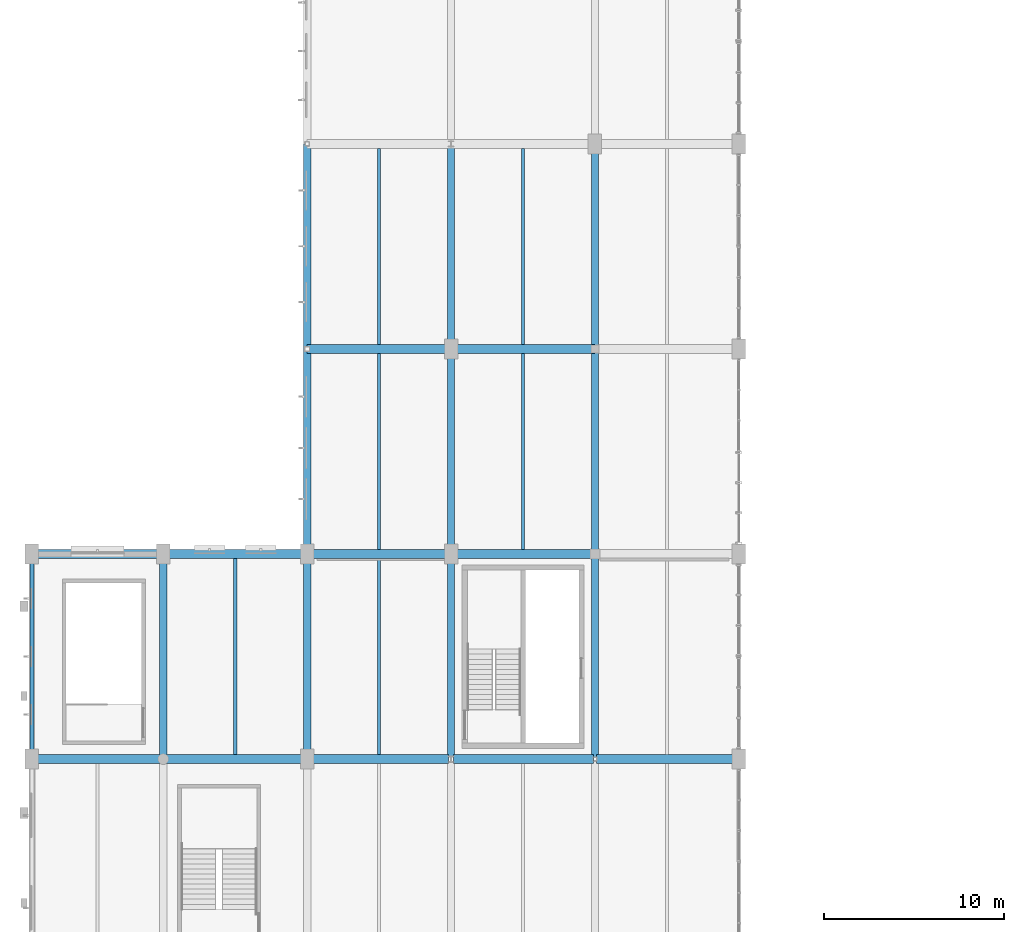
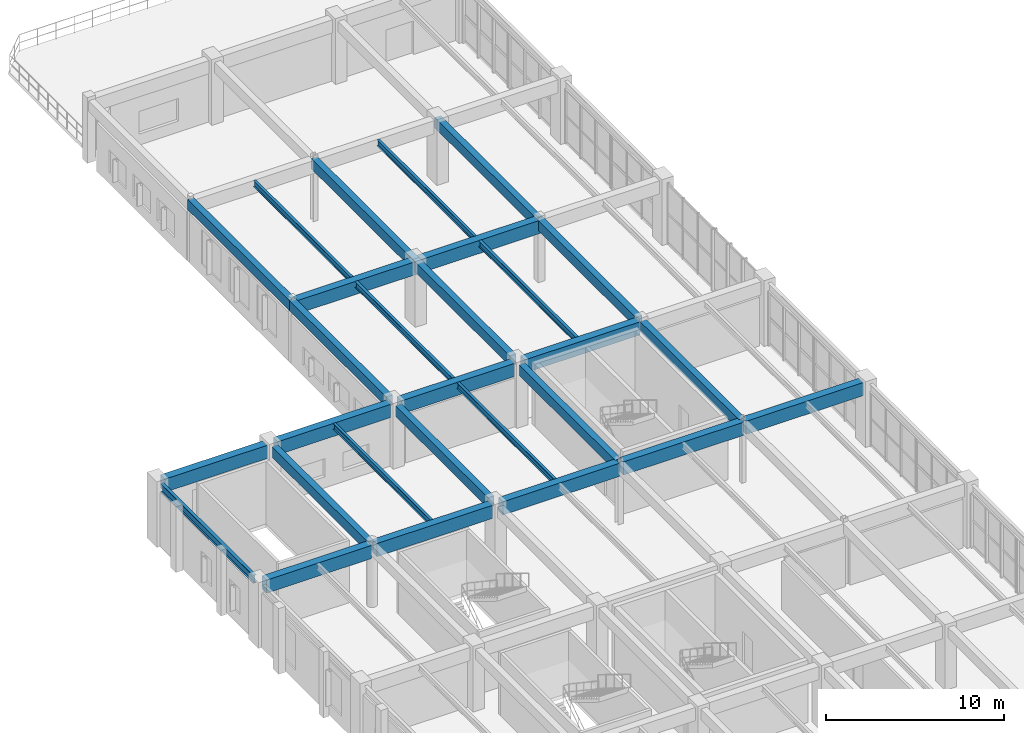
# One storey, part 13 of 80: 28 beams.
"""IFC4 building model written with IfcOpenShell, lengths in metres."""

from ifc_helpers import new_model, si_unit, direction, frame, origin, origin_2d, place, context, subcontext, project, spatial, rectangle, i_section, extrude, material, material_profile, profile_set, type_object, element, save


model = new_model("IFC4")

# Units and contexts
model_context = context("Model", 3, precision=1e-05, world=origin(), true_north=direction((0.0, 1.0)))
body_context = subcontext(model_context, "Body", "Model", "MODEL_VIEW")
ifc_project = project(units=[si_unit("LENGTHUNIT", "METRE"), si_unit("AREAUNIT", "SQUARE_METRE"), si_unit("VOLUMEUNIT", "CUBIC_METRE"), si_unit("PLANEANGLEUNIT", "RADIAN"), si_unit("MASSUNIT", "GRAM", prefix="KILO"), si_unit("POWERUNIT", "WATT"), si_unit("THERMODYNAMICTEMPERATUREUNIT", "KELVIN")], contexts=[model_context])

# Site, building, storey
site_placement = place(None, origin())
site = spatial("IfcSite", under=ifc_project, at=site_placement, CompositionType="ELEMENT")
building_placement = place(site_placement, origin())
building = spatial("IfcBuilding", under=site, at=building_placement, Name="Kelmbourne Parkland Aquatics Centre", CompositionType="ELEMENT")
storey_placement = place(building_placement, frame((0.0, 0.0, 10.199951171875)))
storey = spatial("IfcBuildingStorey", under=building, at=storey_placement, Name="L02", CompositionType="ELEMENT", Elevation=10.199951171875)

# Beams
ifc_material_1 = material(Name="Concrete C40/50", Category="concrete")
ifc_material_profile_1 = material_profile(ifc_material_1, rectangle(XDim=0.5, YDim=0.89990234375, at=origin_2d()), Name="RC 500x900")
ifc_profile_set_1 = profile_set([ifc_material_profile_1], Name="Concrete C40/50")
beam_type_1 = type_object("IfcBeamType", Name="BM-G03", PredefinedType="BEAM", material=ifc_profile_set_1)
beam_1_placement = place(storey_placement, frame((1.030029296875, 35.0, 3.81005859375), z_axis=(1.0, 0.0, 0.0), x_axis=(0.0, 1.0, 0.0)))
element("IfcBeam", 1, at=beam_1_placement, inside=storey, type_object=beam_type_1, Name="Primary girder A-B Grid 05 (L03)", PredefinedType="BEAM", context=body_context, shape_type="SweptSolid", body=[
    extrude(rectangle(XDim=0.5, YDim=0.89990234375, at=origin_2d()), origin(), (0.0, 0.0, 1.0), 6.799072265625),
])
beam_2_placement = place(storey_placement, frame((8.1708984375, 35.0, 3.81005859375), z_axis=(1.0, 0.0, 0.0), x_axis=(0.0, 1.0, 0.0)))
element("IfcBeam", 2, at=beam_2_placement, inside=storey, type_object=beam_type_1, Name="Primary girder B-C Grid 05 (L03)", PredefinedType="BEAM", context=body_context, shape_type="SweptSolid", body=[
    extrude(rectangle(XDim=0.5, YDim=0.89990234375, at=origin_2d()), origin(), (0.0, 0.0, 1.0), 7.4990234375),
])
beam_3_placement = place(storey_placement, frame((16.330078125, 35.0, 3.81005859375), z_axis=(1.0, 0.0, 0.0), x_axis=(0.0, 1.0, 0.0)))
element("IfcBeam", 3, at=beam_3_placement, inside=storey, type_object=beam_type_1, Name="Primary girder C-D Grid 05 (L03)", PredefinedType="BEAM", context=body_context, shape_type="SweptSolid", body=[
    extrude(rectangle(XDim=0.5, YDim=0.89990234375, at=origin_2d()), origin(), (0.0, 0.0, 1.0), 7.5400390625),
])
beam_4_placement = place(storey_placement, frame((24.1298828125, 35.0, 3.81005859375), z_axis=(1.0, 0.0, 0.0), x_axis=(0.0, 1.0, 0.0)))
element("IfcBeam", 4, at=beam_4_placement, inside=storey, type_object=beam_type_1, Name="Primary girder D-E Grid 05 (L03)", PredefinedType="BEAM", context=body_context, shape_type="SweptSolid", body=[
    extrude(rectangle(XDim=0.5, YDim=0.89990234375, at=origin_2d()), origin(), (0.0, 0.0, 1.0), 7.7900390625),
])
beam_5_placement = place(storey_placement, frame((32.080078125, 35.0, 3.81005859375), z_axis=(1.0, 0.0, 0.0), x_axis=(0.0, 1.0, 0.0)))
element("IfcBeam", 5, at=beam_5_placement, inside=storey, type_object=beam_type_1, Name="Primary girder E-F Grid 05 (L03)", PredefinedType="BEAM", context=body_context, shape_type="SweptSolid", body=[
    extrude(rectangle(XDim=0.5, YDim=0.89990234375, at=origin_2d()), origin(), (0.0, 0.0, 1.0), 7.58984375),
])
beam_6_placement = place(storey_placement, frame((1.030029296875, 46.39990234375, 3.81005859375), z_axis=(1.0, 0.0, 0.0), x_axis=(0.0, 1.0, 0.0)))
element("IfcBeam", 6, at=beam_6_placement, inside=storey, type_object=beam_type_1, Name="Primary girder A-B Grid 06 (L03)", PredefinedType="BEAM", context=body_context, shape_type="SweptSolid", body=[
    extrude(rectangle(XDim=0.5, YDim=0.89990234375, at=origin_2d()), origin(), (0.0, 0.0, 1.0), 6.639892578125),
])
for number, where, z_axis, x_axis, name in (
    (7, (8.330078125, 46.39990234375, 3.81005859375), (1.0, 0.0, 0.0), (0.0, 1.0, 0.0), "Primary girder B-C Grid 06 (L03)"),
    (8, (16.330078125, 46.39990234375, 3.81005859375), (1.0, 0.0, 0.0), (0.0, 1.0, 0.0), "Primary girder C-D Grid 06 (L03)"),
):
    element("IfcBeam", number, at=place(storey_placement, frame(where, z_axis=z_axis, x_axis=x_axis)), inside=storey, type_object=beam_type_1, Name=name, PredefinedType="BEAM", context=body_context, shape_type="SweptSolid", body=[
        extrude(rectangle(XDim=0.5, YDim=0.89990234375, at=origin_2d()), origin(), (0.0, 0.0, 1.0), 7.33984375),
    ])
beam_7_placement = place(storey_placement, frame((24.330078125, 46.39990234375, 3.81005859375), z_axis=(1.0, 0.0, 0.0), x_axis=(0.0, 1.0, 0.0)))
element("IfcBeam", 9, at=beam_7_placement, inside=storey, type_object=beam_type_1, Name="Primary girder D-E Grid 06 (L03)", PredefinedType="BEAM", context=body_context, shape_type="SweptSolid", body=[
    extrude(rectangle(XDim=0.5, YDim=0.89990234375, at=origin_2d()), origin(), (0.0, 0.0, 1.0), 7.43994140625),
])
for number, where, z_axis, x_axis, name in (
    (10, (16.0, 57.800048828125, 3.81005859375), (1.0, 0.0, 0.0), (0.0, 1.0, 0.0), "Primary girder C-D Grid 08 (L03)"),
    (11, (24.0, 57.800048828125, 3.81005859375), (1.0, 0.0, 0.0), (0.0, 1.0, 0.0), "Primary girder D-E Grid 08 (L03)"),
):
    element("IfcBeam", number, at=place(storey_placement, frame(where, z_axis=z_axis, x_axis=x_axis)), inside=storey, type_object=beam_type_1, Name=name, PredefinedType="BEAM", context=body_context, shape_type="SweptSolid", body=[
        extrude(rectangle(XDim=0.5, YDim=0.89990234375, at=origin_2d()), origin(), (0.0, 0.0, 1.0), 8.0),
    ])
ifc_material_profile_2 = material_profile(ifc_material_1, rectangle(XDim=0.39990234375, YDim=0.699951171875, at=origin_2d()), Name="RC 400x700")
ifc_profile_set_2 = profile_set([ifc_material_profile_2], Name="Concrete C40/50")
beam_type_2 = type_object("IfcBeamType", Name="BM-G05", PredefinedType="BEAM", material=ifc_profile_set_2)
beam_8_placement = place(storey_placement, frame((8.0, 35.1708984375, 3.91015625), z_axis=(0.0, 1.0, 0.0), x_axis=(-1.0, 0.0, 0.0)))
element("IfcBeam", 12, at=beam_8_placement, inside=storey, type_object=beam_type_2, Name="Primary girder 05-06 Grid B (L03)", PredefinedType="BEAM", context=body_context, shape_type="SweptSolid", body=[
    extrude(rectangle(XDim=0.39990234375, YDim=0.699951171875, at=origin_2d()), origin(), (0.0, 0.0, 1.0), 10.72412109375),
])
beam_9_placement = place(storey_placement, frame((16.0, 35.5048828125, 3.91015625), z_axis=(0.0, 1.0, 0.0), x_axis=(-1.0, 0.0, 0.0)))
element("IfcBeam", 13, at=beam_9_placement, inside=storey, type_object=beam_type_2, Name="Primary girder 05-06 Grid C (L03)", PredefinedType="BEAM", context=body_context, shape_type="SweptSolid", body=[
    extrude(rectangle(XDim=0.39990234375, YDim=0.699951171875, at=origin_2d()), origin(), (0.0, 0.0, 1.0), 10.39013671875),
])
beam_10_placement = place(storey_placement, frame((16.0, 46.905029296875, 3.91015625), z_axis=(0.0, 1.0, 0.0), x_axis=(-1.0, 0.0, 0.0)))
element("IfcBeam", 14, at=beam_10_placement, inside=storey, type_object=beam_type_2, Name="Primary girder 06-08 Grid C (L03)", PredefinedType="BEAM", context=body_context, shape_type="SweptSolid", body=[
    extrude(rectangle(XDim=0.39990234375, YDim=0.699951171875, at=origin_2d()), origin(), (0.0, 0.0, 1.0), 10.89501953125),
])
beam_11_placement = place(storey_placement, frame((16.0, 57.800048828125, 3.91015625), z_axis=(0.0, 1.0, 0.0), x_axis=(-1.0, 0.0, 0.0)))
element("IfcBeam", 15, at=beam_11_placement, inside=storey, type_object=beam_type_2, Name="Primary girder 08-10 Grid C (L03)", PredefinedType="BEAM", context=body_context, shape_type="SweptSolid", body=[
    extrude(rectangle(XDim=0.39990234375, YDim=0.699951171875, at=origin_2d()), origin(), (0.0, 0.0, 1.0), 11.39990234375),
])
beam_12_placement = place(storey_placement, frame((24.0, 35.131103515625, 3.91015625), z_axis=(0.0, 1.0, 0.0), x_axis=(-1.0, 0.0, 0.0)))
element("IfcBeam", 16, at=beam_12_placement, inside=storey, type_object=beam_type_2, Name="Primary girder 05-06 Grid D (L03)", PredefinedType="BEAM", context=body_context, shape_type="SweptSolid", body=[
    extrude(rectangle(XDim=0.39990234375, YDim=0.699951171875, at=origin_2d()), origin(), (0.0, 0.0, 1.0), 10.763916015625),
])
beam_13_placement = place(storey_placement, frame((24.0, 46.905029296875, 3.91015625), z_axis=(0.0, 1.0, 0.0), x_axis=(-1.0, 0.0, 0.0)))
element("IfcBeam", 17, at=beam_13_placement, inside=storey, type_object=beam_type_2, Name="Primary girder 06-08 Grid D (L03)", PredefinedType="BEAM", context=body_context, shape_type="SweptSolid", body=[
    extrude(rectangle(XDim=0.39990234375, YDim=0.699951171875, at=origin_2d()), origin(), (0.0, 0.0, 1.0), 10.89501953125),
])
beam_14_placement = place(storey_placement, frame((24.0, 57.800048828125, 3.91015625), z_axis=(0.0, 1.0, 0.0), x_axis=(-1.0, 0.0, 0.0)))
element("IfcBeam", 18, at=beam_14_placement, inside=storey, type_object=beam_type_2, Name="Primary girder 08-10 Grid D (L03)", PredefinedType="BEAM", context=body_context, shape_type="SweptSolid", body=[
    extrude(rectangle(XDim=0.39990234375, YDim=0.699951171875, at=origin_2d()), origin(), (0.0, 0.0, 1.0), 11.39990234375),
])
beam_15_placement = place(storey_placement, frame((32.0, 35.080078125, 3.91015625), z_axis=(0.0, 1.0, 0.0), x_axis=(-1.0, 0.0, 0.0)))
element("IfcBeam", 19, at=beam_15_placement, inside=storey, type_object=beam_type_2, Name="Primary girder 05-06 Grid E (L03)", PredefinedType="BEAM", context=body_context, shape_type="SweptSolid", body=[
    extrude(rectangle(XDim=0.39990234375, YDim=0.699951171875, at=origin_2d()), origin(), (0.0, 0.0, 1.0), 11.08984375),
])
beam_16_placement = place(storey_placement, frame((32.0, 46.6298828125, 3.91015625), z_axis=(0.0, 1.0, 0.0), x_axis=(-1.0, 0.0, 0.0)))
element("IfcBeam", 20, at=beam_16_placement, inside=storey, type_object=beam_type_2, Name="Primary girder 06-08 Grid E (L03)", PredefinedType="BEAM", context=body_context, shape_type="SweptSolid", body=[
    extrude(rectangle(XDim=0.39990234375, YDim=0.699951171875, at=origin_2d()), origin(), (0.0, 0.0, 1.0), 11.170166015625),
])
beam_17_placement = place(storey_placement, frame((32.0, 57.800048828125, 3.91015625), z_axis=(0.0, 1.0, 0.0), x_axis=(-1.0, 0.0, 0.0)))
element("IfcBeam", 21, at=beam_17_placement, inside=storey, type_object=beam_type_2, Name="Primary girder 08-10 Grid E (L03)", PredefinedType="BEAM", context=body_context, shape_type="SweptSolid", body=[
    extrude(rectangle(XDim=0.39990234375, YDim=0.699951171875, at=origin_2d()), origin(), (0.0, 0.0, 1.0), 11.39990234375),
])
ifc_material_2 = material(Name="Structural steel AS/NZS 3679.1 Grade 300", Category="steel")
ifc_material_profile_3 = material_profile(ifc_material_2, i_section(OverallWidth=0.177978515625, OverallDepth=0.406005859375, WebThickness=0.0078125, FlangeThickness=0.0126953125, at=origin_2d()), Name="410UB59.7")
ifc_profile_set_3 = profile_set([ifc_material_profile_3], Name="Structural steel AS/NZS 3679.1 Grade 300")
beam_type_3 = type_object("IfcBeamType", Name="BM-J01", PredefinedType="JOIST", material=ifc_profile_set_3)
for number, where, z_axis, x_axis, name in (
    (22, (12.0, 35.241943359375, 4.05712890625), (0.0, 1.0, 0.0), (-1.0, 0.0, 0.0), "Secondary floor joist B-C/05-06 #1 (L03)"),
    (23, (20.0, 35.241943359375, 4.05712890625), (0.0, 1.0, 0.0), (-1.0, 0.0, 0.0), "Secondary floor joist C-D/05-06 #1 (L03)"),
    (24, (20.0, 46.64208984375, 4.05712890625), (0.0, 1.0, 0.0), (-1.0, 0.0, 0.0), "Secondary floor joist C-D/06-08 #1 (L03)"),
    (25, (20.0, 58.0419921875, 4.05712890625), (0.0, 1.0, 0.0), (-1.0, 0.0, 0.0), "Secondary floor joist C-D/08-10 #1 (L03)"),
    (26, (28.0, 46.64208984375, 4.05712890625), (0.0, 1.0, 0.0), (-1.0, 0.0, 0.0), "Secondary floor joist D-E/06-08 #1 (L03)"),
    (27, (28.0, 58.0419921875, 4.05712890625), (0.0, 1.0, 0.0), (-1.0, 0.0, 0.0), "Secondary floor joist D-E/08-10 #1 (L03)"),
):
    element("IfcBeam", number, at=place(storey_placement, frame(where, z_axis=z_axis, x_axis=x_axis)), inside=storey, type_object=beam_type_3, Name=name, PredefinedType="JOIST", context=body_context, shape_type="SweptSolid", body=[
        extrude(i_section(OverallWidth=0.177978515625, OverallDepth=0.406005859375, WebThickness=0.0078125, FlangeThickness=0.0126953125, at=origin_2d()), origin(), (0.0, 0.0, 1.0), 10.916015625),
    ])
ifc_material_profile_4 = material_profile(ifc_material_2, i_section(OverallWidth=0.208984375, OverallDepth=0.532958984375, WebThickness=0.01025390625, FlangeThickness=0.015625, at=origin_2d()), Name="530UB92.4")
ifc_profile_set_4 = profile_set([ifc_material_profile_4], Name="Structural steel AS/NZS 3679.1 Grade 300")
beam_type_4 = type_object("IfcBeamType", Name="BM-SP02", PredefinedType="SPANDREL", material=ifc_profile_set_4)
beam_18_placement = place(storey_placement, frame((0.699951171875, 35.5048828125, 3.99365234375), z_axis=(0.0, 1.0, 0.0), x_axis=(-1.0, 0.0, 0.0)))
element("IfcBeam", 28, at=beam_18_placement, inside=storey, type_object=beam_type_4, Name="Perimeter spandrel 05-06 Grid A (L03)", PredefinedType="SPANDREL", context=body_context, shape_type="SweptSolid", body=[
    extrude(i_section(OverallWidth=0.208984375, OverallDepth=0.532958984375, WebThickness=0.01025390625, FlangeThickness=0.015625, at=origin_2d()), origin(), (0.0, 0.0, 1.0), 10.39013671875),
])

save(model, "model.ifc")
